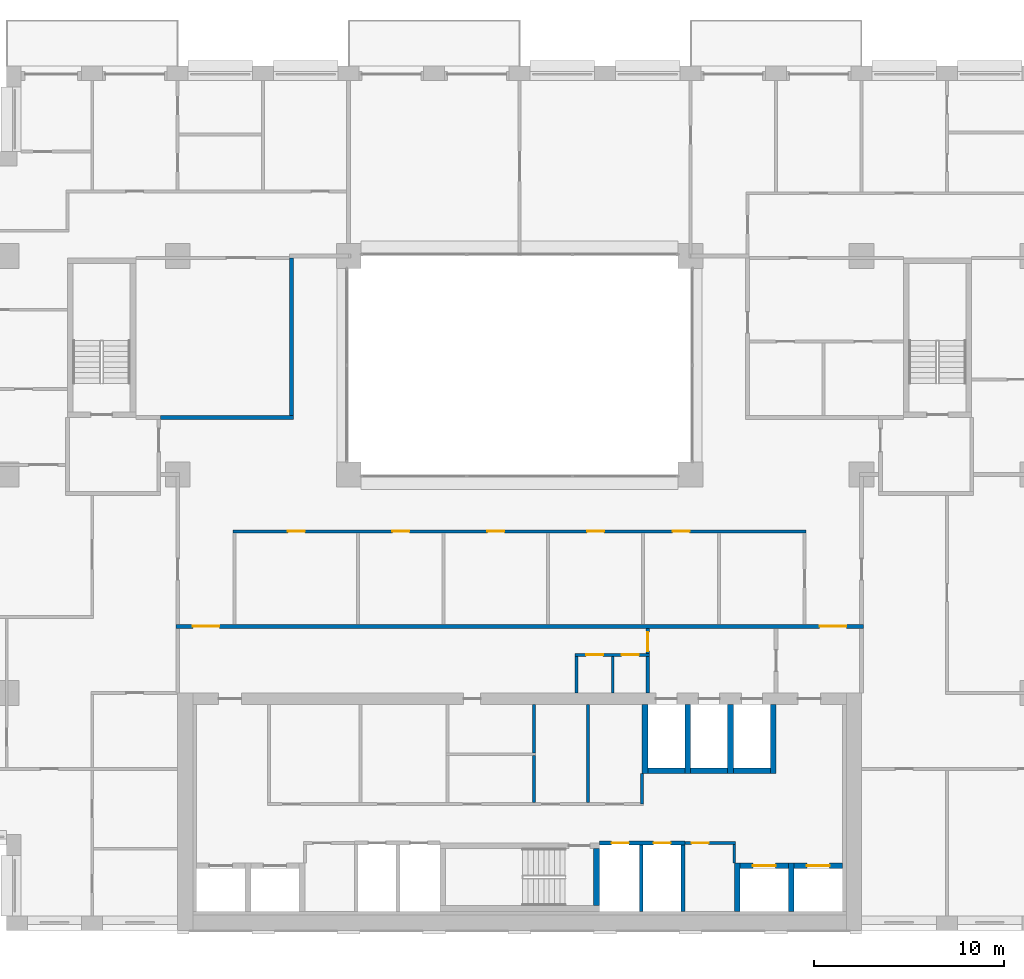
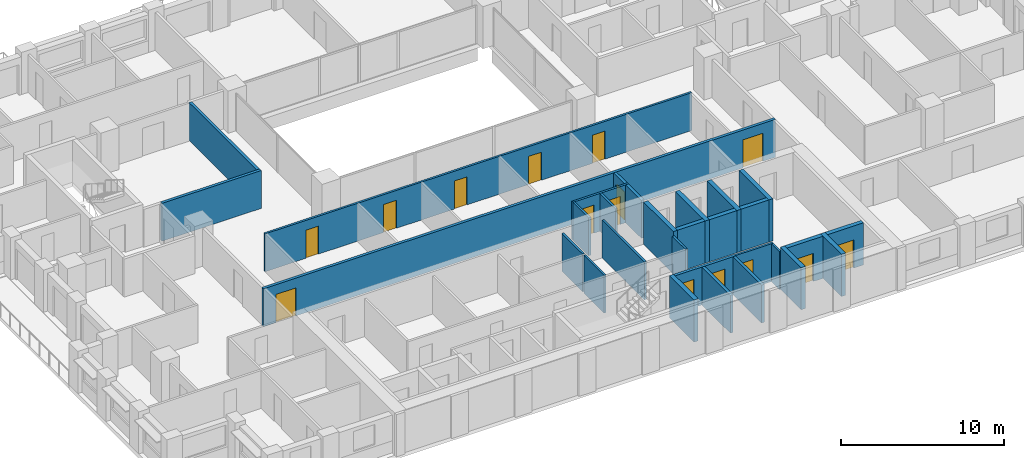
# One storey, part 10 of 16: 30 walls, 15 doors, 15 openings.
"""IFC4 building model written with IfcOpenShell, lengths in metres."""

from ifc_helpers import new_model, si_unit, direction, frame, frame_2d, origin, place, context, subcontext, project, spatial, rectangle, extrude, material, layer, layer_set, type_object, element, fill, save


model = new_model("IFC4")

# Units and contexts
model_context = context("Model", 3, precision=1e-05, world=origin(), true_north=direction((0.0, 1.0)))
body_context = subcontext(model_context, "Body", "Model", "MODEL_VIEW")
ifc_project = project(units=[si_unit("LENGTHUNIT", "METRE"), si_unit("AREAUNIT", "SQUARE_METRE"), si_unit("VOLUMEUNIT", "CUBIC_METRE"), si_unit("PLANEANGLEUNIT", "RADIAN"), si_unit("MASSUNIT", "GRAM", prefix="KILO")], contexts=[model_context])

# Site, building, storey
site_placement = place(None, origin())
site = spatial("IfcSite", under=ifc_project, at=site_placement, CompositionType="ELEMENT")
building_placement = place(site_placement, origin())
building = spatial("IfcBuilding", under=site, at=building_placement, Name="Brigalow Station Residences", CompositionType="ELEMENT")
storey_placement = place(building_placement, frame((0.0, 0.0, 89.85009765625)))
storey = spatial("IfcBuildingStorey", under=building, at=storey_placement, Name="L25", CompositionType="ELEMENT", Elevation=89.85009765625)

# Walls
ifc_material_1 = material(Name="Concrete C65", Category="concrete")
ifc_layer_1 = layer(ifc_material_1, 0.300048828125)
ifc_layer_set_1 = layer_set([ifc_layer_1], Name="CORE SHEAR WALL 300 C65")
wall_type_1 = type_object("IfcWallType", Name="CORE SHEAR WALL 300 C65", PredefinedType="SHEAR", material=ifc_layer_set_1)
wall_1_placement = place(storey_placement, frame((42.75, 8.39990234375, 0.0), z_axis=(0.0, 0.0, 1.0), x_axis=(1.0, 0.0, 0.0)))
element("IfcWall", 1, at=wall_1_placement, inside=storey, type_object=wall_type_1, Name="CORE WALL SH-FF1-S L25", PredefinedType="SHEAR", context=body_context, shape_type="SweptSolid", body=[
    extrude(rectangle(XDim=1.949951171875, YDim=0.300048828125, at=frame_2d((0.97509765625, 0.0))), origin(), (0.0, 0.0, 1.0), 3.14990234375),
])
wall_2_placement = place(storey_placement, frame((42.60009765625, 8.25, 0.0), z_axis=(0.0, 0.0, 1.0), x_axis=(0.0, 1.0, 0.0)))
element("IfcWall", 2, at=wall_2_placement, inside=storey, type_object=wall_type_1, Name="CORE WALL SH-FF1-W L25", PredefinedType="SHEAR", context=body_context, shape_type="SweptSolid", body=[
    extrude(rectangle(XDim=3.64990234375, YDim=0.300048828125, at=frame_2d((1.824951171875, 0.0))), origin(), (0.0, 0.0, 1.0), 3.14990234375),
])
wall_3_placement = place(storey_placement, frame((45.0, 8.39990234375, 0.0), z_axis=(0.0, 0.0, 1.0), x_axis=(1.0, 0.0, 0.0)))
element("IfcWall", 3, at=wall_3_placement, inside=storey, type_object=wall_type_1, Name="CORE WALL SH-FF2-S L25", PredefinedType="SHEAR", context=body_context, shape_type="SweptSolid", body=[
    extrude(rectangle(XDim=1.949951171875, YDim=0.300048828125, at=frame_2d((0.97509765625, 0.0))), origin(), (0.0, 0.0, 1.0), 3.14990234375),
])
wall_4_placement = place(storey_placement, frame((44.85009765625, 8.25, 0.0), z_axis=(0.0, 0.0, 1.0), x_axis=(0.0, 1.0, 0.0)))
element("IfcWall", 4, at=wall_4_placement, inside=storey, type_object=wall_type_1, Name="CORE WALL SH-FF2-W L25", PredefinedType="SHEAR", context=body_context, shape_type="SweptSolid", body=[
    extrude(rectangle(XDim=3.64990234375, YDim=0.300048828125, at=frame_2d((1.824951171875, 0.0))), origin(), (0.0, 0.0, 1.0), 3.14990234375),
])
wall_5_placement = place(storey_placement, frame((47.25, 8.39990234375, 0.0), z_axis=(0.0, 0.0, 1.0), x_axis=(1.0, 0.0, 0.0)))
element("IfcWall", 5, at=wall_5_placement, inside=storey, type_object=wall_type_1, Name="CORE WALL SH-SL1-S L25", PredefinedType="SHEAR", context=body_context, shape_type="SweptSolid", body=[
    extrude(rectangle(XDim=1.949951171875, YDim=0.300048828125, at=frame_2d((0.97509765625, 0.0))), origin(), (0.0, 0.0, 1.0), 3.14990234375),
])
for number, where, z_axis, x_axis, name in (
    (6, (47.10009765625, 8.25, 0.0), (0.0, 0.0, 1.0), (0.0, 1.0, 0.0), "CORE WALL SH-SL1-W L25"),
    (7, (49.35009765625, 8.25, 0.0), (0.0, 0.0, 1.0), (0.0, 1.0, 0.0), "CORE WALL SH-SL1-E L25"),
):
    element("IfcWall", number, at=place(storey_placement, frame(where, z_axis=z_axis, x_axis=x_axis)), inside=storey, type_object=wall_type_1, Name=name, PredefinedType="SHEAR", context=body_context, shape_type="SweptSolid", body=[
        extrude(rectangle(XDim=3.64990234375, YDim=0.300048828125, at=frame_2d((1.824951171875, 0.0))), origin(), (0.0, 0.0, 1.0), 3.14990234375),
    ])

# Wall, opening, door
wall_6_placement = place(storey_placement, frame((47.60009765625, 3.39990234375, 0.0), z_axis=(0.0, 0.0, 1.0), x_axis=(1.0, 0.0, 0.0)))
wall_6 = element("IfcWall", 8, at=wall_6_placement, inside=storey, type_object=wall_type_1, Name="CORE WALL SH-C3-N L25", PredefinedType="SHEAR", context=body_context, shape_type="SweptSolid", body=[
    extrude(rectangle(XDim=2.5498046875, YDim=0.300048828125, at=frame_2d((1.27490234375, 0.0))), origin(), (0.0, 0.0, 1.0), 3.14990234375),
])
opening_1_placement = place(wall_6_placement, frame((0.675048828125, 0.0, 0.0)))
opening_1 = element("IfcOpeningElement", 9, at=opening_1_placement, cuts=wall_6, Name="Opening LD-LB3", PredefinedType="OPENING", context=body_context, shape_type="SweptSolid", body=[
    extrude(rectangle(XDim=1.199951171875, YDim=2.10009765625, at=frame_2d((0.60009765625, 1.050048828125))), frame((0.0, 0.16015625, 0.0), z_axis=(0.0, -1.0, 0.0), x_axis=(1.0, 0.0, 0.0)), (0.0, 0.0, 1.0), 0.320068359375),
])
ifc_material_2 = material(Name="Stainless steel sliding door leaves", Category="steel")
door_type_1 = type_object("IfcDoorType", Name="LIFT LANDING DOOR 1200 x 2100", OperationType="DOUBLE_DOOR_SLIDING", PredefinedType="DOOR", material=ifc_material_2)
door_1_placement = place(opening_1_placement, origin())
door_1 = element("IfcDoor", 10, at=door_1_placement, inside=storey, type_object=door_type_1, Name="LANDING DOOR LB3", OperationType="DOUBLE_DOOR_SLIDING", OverallHeight=2.10009765625, OverallWidth=1.199951171875, PredefinedType="DOOR", context=body_context, shape_type="SweptSolid", body=[
    extrude(rectangle(XDim=1.199951171875, YDim=2.10009765625, at=frame_2d((0.60009765625, 1.050048828125))), frame((0.0, 0.02490234375, 0.0), z_axis=(0.0, -1.0, 0.0), x_axis=(1.0, 0.0, 0.0)), (0.0, 0.0, 1.0), 0.050048828125),
])
fill(opening_1, door_1)

# Wall
wall_7_placement = place(storey_placement, frame((47.449951171875, 1.0, 0.0), z_axis=(0.0, 0.0, 1.0), x_axis=(0.0, 1.0, 0.0)))
element("IfcWall", 11, at=wall_7_placement, inside=storey, type_object=wall_type_1, Name="CORE WALL SH-C3-W L25", PredefinedType="SHEAR", context=body_context, shape_type="SweptSolid", body=[
    extrude(rectangle(XDim=2.550048828125, YDim=0.300048828125, at=frame_2d((1.27490234375, 0.0))), origin(), (0.0, 0.0, 1.0), 3.14990234375),
])

# Wall, opening, door
wall_8_placement = place(storey_placement, frame((50.449951171875, 3.39990234375, 0.0), z_axis=(0.0, 0.0, 1.0), x_axis=(1.0, 0.0, 0.0)))
wall_8 = element("IfcWall", 12, at=wall_8_placement, inside=storey, type_object=wall_type_1, Name="CORE WALL SH-C4-N L25", PredefinedType="SHEAR", context=body_context, shape_type="SweptSolid", body=[
    extrude(rectangle(XDim=2.550048828125, YDim=0.300048828125, at=frame_2d((1.27490234375, 0.0))), origin(), (0.0, 0.0, 1.0), 3.14990234375),
])
opening_2_placement = place(wall_8_placement, frame((0.675048828125, 0.0, 0.0)))
opening_2 = element("IfcOpeningElement", 13, at=opening_2_placement, cuts=wall_8, Name="Opening LD-LB4", PredefinedType="OPENING", context=body_context, shape_type="SweptSolid", body=[
    extrude(rectangle(XDim=1.199951171875, YDim=2.10009765625, at=frame_2d((0.60009765625, 1.050048828125))), frame((0.0, 0.16015625, 0.0), z_axis=(0.0, -1.0, 0.0), x_axis=(1.0, 0.0, 0.0)), (0.0, 0.0, 1.0), 0.320068359375),
])
door_2_placement = place(opening_2_placement, origin())
door_2 = element("IfcDoor", 14, at=door_2_placement, inside=storey, type_object=door_type_1, Name="LANDING DOOR LB4", OperationType="DOUBLE_DOOR_SLIDING", OverallHeight=2.10009765625, OverallWidth=1.199951171875, PredefinedType="DOOR", context=body_context, shape_type="SweptSolid", body=[
    extrude(rectangle(XDim=1.199951171875, YDim=2.10009765625, at=frame_2d((0.60009765625, 1.050048828125))), frame((0.0, 0.02490234375, 0.0), z_axis=(0.0, -1.0, 0.0), x_axis=(1.0, 0.0, 0.0)), (0.0, 0.0, 1.0), 0.050048828125),
])
fill(opening_2, door_2)

# Walls
wall_9_placement = place(storey_placement, frame((50.300048828125, 1.0, 0.0), z_axis=(0.0, 0.0, 1.0), x_axis=(0.0, 1.0, 0.0)))
element("IfcWall", 15, at=wall_9_placement, inside=storey, type_object=wall_type_1, Name="CORE WALL SH-C4-W L25", PredefinedType="SHEAR", context=body_context, shape_type="SweptSolid", body=[
    extrude(rectangle(XDim=2.550048828125, YDim=0.300048828125, at=frame_2d((1.27490234375, 0.0))), origin(), (0.0, 0.0, 1.0), 3.14990234375),
])
wall_10_placement = place(storey_placement, frame((40.050048828125, 1.300048828125, 0.0), z_axis=(0.0, 0.0, 1.0), x_axis=(0.0, 1.0, 0.0)))
element("IfcWall", 16, at=wall_10_placement, inside=storey, type_object=wall_type_1, Name="CORE WALL ST-S2-E L25", PredefinedType="SHEAR", context=body_context, shape_type="SweptSolid", body=[
    extrude(rectangle(XDim=3.0, YDim=0.300048828125, at=frame_2d((1.5, 0.0))), origin(), (0.0, 0.0, 1.0), 3.14990234375),
])

# Wall, openings, doors
ifc_material_3 = material(Name="Concrete blockwork", Category="masonry")
ifc_layer_2 = layer(ifc_material_3, 0.199951171875)
ifc_layer_set_2 = layer_set([ifc_layer_2], Name="FIRE RATED CORE PARTITION 200")
wall_type_2 = type_object("IfcWallType", Name="FIRE RATED CORE PARTITION 200", PredefinedType="PARTITIONING", material=ifc_layer_set_2)
wall_11_placement = place(storey_placement, frame((40.199951171875, 4.60009765625, 0.0), z_axis=(0.0, 0.0, 1.0), x_axis=(1.0, 0.0, 0.0)))
wall_11 = element("IfcWall", 17, at=wall_11_placement, inside=storey, type_object=wall_type_2, Name="PW-5018", PredefinedType="PARTITIONING", context=body_context, shape_type="SweptSolid", body=[
    extrude(rectangle(XDim=4.5, YDim=0.199951171875, at=frame_2d((2.25, 0.0))), origin(), (0.0, 0.0, 1.0), 2.829833984375),
])
opening_3_placement = place(wall_11_placement, frame((0.64990234375, 0.0, 0.0)))
opening_3 = element("IfcOpeningElement", 18, at=opening_3_placement, cuts=wall_11, Name="Opening D-5009", PredefinedType="OPENING", context=body_context, shape_type="SweptSolid", body=[
    extrude(rectangle(XDim=0.89990234375, YDim=2.10009765625, at=frame_2d((0.449951171875, 1.050048828125))), frame((0.0, 0.10986328125, 0.0), z_axis=(0.0, -1.0, 0.0), x_axis=(1.0, 0.0, 0.0)), (0.0, 0.0, 1.0), 0.219970703125),
])
opening_4_placement = place(wall_11_placement, frame((2.85009765625, 0.0, 0.0)))
opening_4 = element("IfcOpeningElement", 19, at=opening_4_placement, cuts=wall_11, Name="Opening D-5010", PredefinedType="OPENING", context=body_context, shape_type="SweptSolid", body=[
    extrude(rectangle(XDim=0.89990234375, YDim=2.10009765625, at=frame_2d((0.449951171875, 1.050048828125))), frame((0.0, 0.10986328125, 0.0), z_axis=(0.0, -1.0, 0.0), x_axis=(1.0, 0.0, 0.0)), (0.0, 0.0, 1.0), 0.219970703125),
])
ifc_material_4 = material(Name="Steel fire door leaf in steel frame", Category="steel")
door_type_2 = type_object("IfcDoorType", Name="RISER ACCESS DOOR 900 x 2100 FD120", OperationType="SINGLE_SWING_LEFT", PredefinedType="DOOR", material=ifc_material_4)
door_3_placement = place(opening_3_placement, frame((0.89990234375, 0.0, 0.0), z_axis=(0.0, 0.0, 1.0), x_axis=(-1.0, 0.0, 0.0)))
door_3 = element("IfcDoor", 20, at=door_3_placement, inside=storey, type_object=door_type_2, Name="D-5009", OperationType="SINGLE_SWING_LEFT", OverallHeight=2.10009765625, OverallWidth=0.89990234375, PredefinedType="DOOR", context=body_context, shape_type="SweptSolid", body=[
    extrude(rectangle(XDim=0.89990234375, YDim=2.10009765625, at=frame_2d((0.449951171875, 1.050048828125))), frame((0.0, 0.02490234375, 0.0), z_axis=(0.0, -1.0, 0.0), x_axis=(1.0, 0.0, 0.0)), (0.0, 0.0, 1.0), 0.050048828125),
])
fill(opening_3, door_3)
door_4_placement = place(opening_4_placement, frame((0.89990234375, 0.0, 0.0), z_axis=(0.0, 0.0, 1.0), x_axis=(-1.0, 0.0, 0.0)))
door_4 = element("IfcDoor", 21, at=door_4_placement, inside=storey, type_object=door_type_2, Name="D-5010", OperationType="SINGLE_SWING_LEFT", OverallHeight=2.10009765625, OverallWidth=0.89990234375, PredefinedType="DOOR", context=body_context, shape_type="SweptSolid", body=[
    extrude(rectangle(XDim=0.89990234375, YDim=2.10009765625, at=frame_2d((0.449951171875, 1.050048828125))), frame((0.0, 0.02490234375, 0.0), z_axis=(0.0, -1.0, 0.0), x_axis=(1.0, 0.0, 0.0)), (0.0, 0.0, 1.0), 0.050048828125),
])
fill(opening_4, door_4)

# Walls
for number, where, z_axis, x_axis, name in (
    (22, (42.39990234375, 1.0, 0.0), (0.0, 0.0, 1.0), (0.0, 1.0, 0.0), "PW-5007"),
    (23, (44.60009765625, 1.0, 0.0), (0.0, 0.0, 1.0), (0.0, 1.0, 0.0), "PW-5008"),
):
    element("IfcWall", number, at=place(storey_placement, frame(where, z_axis=z_axis, x_axis=x_axis)), inside=storey, type_object=wall_type_2, Name=name, PredefinedType="PARTITIONING", context=body_context, shape_type="SweptSolid", body=[
        extrude(rectangle(XDim=3.5, YDim=0.199951171875, at=frame_2d((1.75, 0.0))), origin(), (0.0, 0.0, 1.0), 2.829833984375),
    ])
wall_12_placement = place(storey_placement, frame((42.75, 12.5, 0.0), z_axis=(0.0, 0.0, 1.0), x_axis=(0.0, 1.0, 0.0)))
element("IfcWall", 24, at=wall_12_placement, inside=storey, type_object=wall_type_2, Name="PW-5046", PredefinedType="PARTITIONING", context=body_context, shape_type="SweptSolid", body=[
    extrude(rectangle(XDim=1.925048828125, YDim=0.199951171875, at=frame_2d((0.96240234375, 0.0))), origin(), (0.0, 0.0, 1.0), 2.829833984375),
])

# Wall, opening, door
wall_13_placement = place(storey_placement, frame((42.75, 14.574951171875, 0.0), z_axis=(0.0, 0.0, 1.0), x_axis=(0.0, 1.0, 0.0)))
wall_13 = element("IfcWall", 25, at=wall_13_placement, inside=storey, type_object=wall_type_2, Name="PW-5047", PredefinedType="PARTITIONING", context=body_context, shape_type="SweptSolid", body=[
    extrude(rectangle(XDim=1.324951171875, YDim=0.199951171875, at=frame_2d((0.66259765625, 0.0))), origin(), (0.0, 0.0, 1.0), 2.829833984375),
])
opening_5_placement = place(wall_13_placement, frame((0.125, 0.0, 0.0)))
opening_5 = element("IfcOpeningElement", 26, at=opening_5_placement, cuts=wall_13, Name="Opening D-5013", PredefinedType="OPENING", context=body_context, shape_type="SweptSolid", body=[
    extrude(rectangle(XDim=1.0, YDim=2.10009765625, at=frame_2d((0.5, 1.050048828125))), frame((0.0, 0.10986328125, 0.0), z_axis=(0.0, -1.0, 0.0), x_axis=(1.0, 0.0, 0.0)), (0.0, 0.0, 1.0), 0.219970703125),
])
ifc_material_5 = material(Name="Steel fire door leaf in steel frame", Category="steel")
door_type_3 = type_object("IfcDoorType", Name="LOBBY DOOR 1000 x 2100 FD60S", OperationType="SINGLE_SWING_LEFT", PredefinedType="DOOR", material=ifc_material_5)
door_5_placement = place(opening_5_placement, origin())
door_5 = element("IfcDoor", 27, at=door_5_placement, inside=storey, type_object=door_type_3, Name="D-5013", OperationType="SINGLE_SWING_LEFT", OverallHeight=2.10009765625, OverallWidth=1.0, PredefinedType="DOOR", context=body_context, shape_type="SweptSolid", body=[
    extrude(rectangle(XDim=1.0, YDim=2.10009765625, at=frame_2d((0.5, 1.050048828125))), frame((0.0, 0.02490234375, 0.0), z_axis=(0.0, -1.0, 0.0), x_axis=(1.0, 0.0, 0.0)), (0.0, 0.0, 1.0), 0.050048828125),
])
fill(opening_5, door_5)

# Wall, openings, doors
ifc_material_6 = material(Name="Plasterboard on steel stud partition", Category="steel")
ifc_layer_3 = layer(ifc_material_6, 0.14990234375)
ifc_layer_set_3 = layer_set([ifc_layer_3], Name="FLAT PARTITION 150")
wall_type_3 = type_object("IfcWallType", Name="FLAT PARTITION 150", PredefinedType="PARTITIONING", material=ifc_layer_set_3)
wall_14_placement = place(storey_placement, frame((20.925048828125, 21.0, 0.0), z_axis=(0.0, 0.0, 1.0), x_axis=(1.0, 0.0, 0.0)))
wall_14 = element("IfcWall", 28, at=wall_14_placement, inside=storey, type_object=wall_type_3, Name="PW-2A01", PredefinedType="PARTITIONING", context=body_context, shape_type="SweptSolid", body=[
    extrude(rectangle(XDim=30.14990234375, YDim=0.14990234375, at=frame_2d((15.074951171875, 0.0))), origin(), (0.0, 0.0, 1.0), 2.829833984375),
])
opening_6_placement = place(wall_14_placement, frame((2.875, 0.0, 0.0)))
opening_6 = element("IfcOpeningElement", 29, at=opening_6_placement, cuts=wall_14, Name="Opening D-2A49", PredefinedType="OPENING", context=body_context, shape_type="SweptSolid", body=[
    extrude(rectangle(XDim=0.89990234375, YDim=2.10009765625, at=frame_2d((0.449951171875, 1.050048828125))), frame((0.0, 0.0849609375, 0.0), z_axis=(0.0, -1.0, 0.0), x_axis=(1.0, 0.0, 0.0)), (0.0, 0.0, 1.0), 0.169921875),
])
opening_7_placement = place(wall_14_placement, frame((8.375, 0.0, 0.0)))
opening_7 = element("IfcOpeningElement", 30, at=opening_7_placement, cuts=wall_14, Name="Opening D-2A50", PredefinedType="OPENING", context=body_context, shape_type="SweptSolid", body=[
    extrude(rectangle(XDim=0.89990234375, YDim=2.10009765625, at=frame_2d((0.449951171875, 1.050048828125))), frame((0.0, 0.0849609375, 0.0), z_axis=(0.0, -1.0, 0.0), x_axis=(1.0, 0.0, 0.0)), (0.0, 0.0, 1.0), 0.169921875),
])
opening_8_placement = place(wall_14_placement, frame((13.375, 0.0, 0.0)))
opening_8 = element("IfcOpeningElement", 31, at=opening_8_placement, cuts=wall_14, Name="Opening D-2A51", PredefinedType="OPENING", context=body_context, shape_type="SweptSolid", body=[
    extrude(rectangle(XDim=0.89990234375, YDim=2.10009765625, at=frame_2d((0.449951171875, 1.050048828125))), frame((0.0, 0.0849609375, 0.0), z_axis=(0.0, -1.0, 0.0), x_axis=(1.0, 0.0, 0.0)), (0.0, 0.0, 1.0), 0.169921875),
])
opening_9_placement = place(wall_14_placement, frame((18.625, 0.0, 0.0)))
opening_9 = element("IfcOpeningElement", 32, at=opening_9_placement, cuts=wall_14, Name="Opening D-2A52", PredefinedType="OPENING", context=body_context, shape_type="SweptSolid", body=[
    extrude(rectangle(XDim=0.89990234375, YDim=2.10009765625, at=frame_2d((0.449951171875, 1.050048828125))), frame((0.0, 0.0849609375, 0.0), z_axis=(0.0, -1.0, 0.0), x_axis=(1.0, 0.0, 0.0)), (0.0, 0.0, 1.0), 0.169921875),
])
opening_10_placement = place(wall_14_placement, frame((23.125, 0.0, 0.0)))
opening_10 = element("IfcOpeningElement", 33, at=opening_10_placement, cuts=wall_14, Name="Opening D-2A53", PredefinedType="OPENING", context=body_context, shape_type="SweptSolid", body=[
    extrude(rectangle(XDim=0.89990234375, YDim=2.10009765625, at=frame_2d((0.449951171875, 1.050048828125))), frame((0.0, 0.0849609375, 0.0), z_axis=(0.0, -1.0, 0.0), x_axis=(1.0, 0.0, 0.0)), (0.0, 0.0, 1.0), 0.169921875),
])
ifc_material_7 = material(Name="Solid-core timber door leaf", Category="wood")
door_type_4 = type_object("IfcDoorType", Name="INTERNAL DOOR 900 x 2100", OperationType="SINGLE_SWING_LEFT", PredefinedType="DOOR", material=ifc_material_7)
door_6_placement = place(opening_6_placement, frame((0.89990234375, 0.0, 0.0), z_axis=(0.0, 0.0, 1.0), x_axis=(-1.0, 0.0, 0.0)))
door_6 = element("IfcDoor", 34, at=door_6_placement, inside=storey, type_object=door_type_4, Name="D-2A49", OperationType="SINGLE_SWING_LEFT", OverallHeight=2.10009765625, OverallWidth=0.89990234375, PredefinedType="DOOR", context=body_context, shape_type="SweptSolid", body=[
    extrude(rectangle(XDim=0.89990234375, YDim=2.10009765625, at=frame_2d((0.449951171875, 1.050048828125))), frame((0.0, 0.02490234375, 0.0), z_axis=(0.0, -1.0, 0.0), x_axis=(1.0, 0.0, 0.0)), (0.0, 0.0, 1.0), 0.050048828125),
])
fill(opening_6, door_6)
door_7_placement = place(opening_7_placement, frame((0.89990234375, 0.0, 0.0), z_axis=(0.0, 0.0, 1.0), x_axis=(-1.0, 0.0, 0.0)))
door_7 = element("IfcDoor", 35, at=door_7_placement, inside=storey, type_object=door_type_4, Name="D-2A50", OperationType="SINGLE_SWING_RIGHT", OverallHeight=2.10009765625, OverallWidth=0.89990234375, PredefinedType="DOOR", context=body_context, shape_type="SweptSolid", body=[
    extrude(rectangle(XDim=0.89990234375, YDim=2.10009765625, at=frame_2d((0.449951171875, 1.050048828125))), frame((0.0, 0.02490234375, 0.0), z_axis=(0.0, -1.0, 0.0), x_axis=(1.0, 0.0, 0.0)), (0.0, 0.0, 1.0), 0.050048828125),
])
fill(opening_7, door_7)
door_8_placement = place(opening_8_placement, frame((0.89990234375, 0.0, 0.0), z_axis=(0.0, 0.0, 1.0), x_axis=(-1.0, 0.0, 0.0)))
door_8 = element("IfcDoor", 36, at=door_8_placement, inside=storey, type_object=door_type_4, Name="D-2A51", OperationType="SINGLE_SWING_LEFT", OverallHeight=2.10009765625, OverallWidth=0.89990234375, PredefinedType="DOOR", context=body_context, shape_type="SweptSolid", body=[
    extrude(rectangle(XDim=0.89990234375, YDim=2.10009765625, at=frame_2d((0.449951171875, 1.050048828125))), frame((0.0, 0.02490234375, 0.0), z_axis=(0.0, -1.0, 0.0), x_axis=(1.0, 0.0, 0.0)), (0.0, 0.0, 1.0), 0.050048828125),
])
fill(opening_8, door_8)
door_9_placement = place(opening_9_placement, frame((0.89990234375, 0.0, 0.0), z_axis=(0.0, 0.0, 1.0), x_axis=(-1.0, 0.0, 0.0)))
door_9 = element("IfcDoor", 37, at=door_9_placement, inside=storey, type_object=door_type_4, Name="D-2A52", OperationType="SINGLE_SWING_LEFT", OverallHeight=2.10009765625, OverallWidth=0.89990234375, PredefinedType="DOOR", context=body_context, shape_type="SweptSolid", body=[
    extrude(rectangle(XDim=0.89990234375, YDim=2.10009765625, at=frame_2d((0.449951171875, 1.050048828125))), frame((0.0, 0.02490234375, 0.0), z_axis=(0.0, -1.0, 0.0), x_axis=(1.0, 0.0, 0.0)), (0.0, 0.0, 1.0), 0.050048828125),
])
fill(opening_9, door_9)
door_10_placement = place(opening_10_placement, frame((0.89990234375, 0.0, 0.0), z_axis=(0.0, 0.0, 1.0), x_axis=(-1.0, 0.0, 0.0)))
door_10 = element("IfcDoor", 38, at=door_10_placement, inside=storey, type_object=door_type_4, Name="D-2A53", OperationType="SINGLE_SWING_LEFT", OverallHeight=2.10009765625, OverallWidth=0.89990234375, PredefinedType="DOOR", context=body_context, shape_type="SweptSolid", body=[
    extrude(rectangle(XDim=0.89990234375, YDim=2.10009765625, at=frame_2d((0.449951171875, 1.050048828125))), frame((0.0, 0.02490234375, 0.0), z_axis=(0.0, -1.0, 0.0), x_axis=(1.0, 0.0, 0.0)), (0.0, 0.0, 1.0), 0.050048828125),
])
fill(opening_10, door_10)

# Wall
ifc_material_8 = material(Name="Plasterboard on steel stud partition", Category="steel")
ifc_layer_4 = layer(ifc_material_8, 0.199951171875)
ifc_layer_set_4 = layer_set([ifc_layer_4], Name="PARTY AND CORRIDOR WALL 200")
wall_type_4 = type_object("IfcWallType", Name="PARTY AND CORRIDOR WALL 200", PredefinedType="PARTITIONING", material=ifc_layer_set_4)
wall_15_placement = place(storey_placement, frame((17.10009765625, 27.0, 0.0), z_axis=(0.0, 0.0, 1.0), x_axis=(1.0, 0.0, 0.0)))
element("IfcWall", 39, at=wall_15_placement, inside=storey, type_object=wall_type_4, Name="PW-2A05", PredefinedType="PARTITIONING", context=body_context, shape_type="SweptSolid", body=[
    extrude(rectangle(XDim=7.0, YDim=0.199951171875, at=frame_2d((3.5, 0.0))), origin(), (0.0, 0.0, 1.0), 2.829833984375),
])

# Wall, openings, doors
wall_16_placement = place(storey_placement, frame((17.89990234375, 16.0, 0.0), z_axis=(0.0, 0.0, 1.0), x_axis=(1.0, 0.0, 0.0)))
wall_16 = element("IfcWall", 40, at=wall_16_placement, inside=storey, type_object=wall_type_4, Name="PW-2A38", PredefinedType="PARTITIONING", context=body_context, shape_type="SweptSolid", body=[
    extrude(rectangle(XDim=36.2001953125, YDim=0.199951171875, at=frame_2d((18.10009765625, 0.0))), origin(), (0.0, 0.0, 1.0), 2.829833984375),
])
opening_11_placement = place(wall_16_placement, frame((0.89990234375, 0.0, 0.0)))
opening_11 = element("IfcOpeningElement", 41, at=opening_11_placement, cuts=wall_16, Name="Opening D-2A01", PredefinedType="OPENING", context=body_context, shape_type="SweptSolid", body=[
    extrude(rectangle(XDim=1.39990234375, YDim=2.10009765625, at=frame_2d((0.699951171875, 1.050048828125))), frame((0.0, 0.10986328125, 0.0), z_axis=(0.0, -1.0, 0.0), x_axis=(1.0, 0.0, 0.0)), (0.0, 0.0, 1.0), 0.219970703125),
])
opening_12_placement = place(wall_16_placement, frame((33.89990234375, 0.0, 0.0)))
opening_12 = element("IfcOpeningElement", 42, at=opening_12_placement, cuts=wall_16, Name="Opening D-2A02", PredefinedType="OPENING", context=body_context, shape_type="SweptSolid", body=[
    extrude(rectangle(XDim=1.39990234375, YDim=2.10009765625, at=frame_2d((0.699951171875, 1.050048828125))), frame((0.0, 0.10986328125, 0.0), z_axis=(0.0, -1.0, 0.0), x_axis=(1.0, 0.0, 0.0)), (0.0, 0.0, 1.0), 0.219970703125),
])
ifc_material_9 = material(Name="Solid-core timber door leaf", Category="wood")
door_type_5 = type_object("IfcDoorType", Name="CORRIDOR FIRE DOOR 1400 x 2100 FRL -/60/30", OperationType="DOUBLE_DOOR_SINGLE_SWING", PredefinedType="DOOR", material=ifc_material_9)
door_11_placement = place(opening_11_placement, frame((1.39990234375, 0.0, 0.0), z_axis=(0.0, 0.0, 1.0), x_axis=(-1.0, 0.0, 0.0)))
door_11 = element("IfcDoor", 43, at=door_11_placement, inside=storey, type_object=door_type_5, Name="D-2A01", OperationType="DOUBLE_DOOR_SINGLE_SWING", OverallHeight=2.10009765625, OverallWidth=1.39990234375, PredefinedType="DOOR", context=body_context, shape_type="SweptSolid", body=[
    extrude(rectangle(XDim=1.39990234375, YDim=2.10009765625, at=frame_2d((0.699951171875, 1.050048828125))), frame((0.0, 0.02490234375, 0.0), z_axis=(0.0, -1.0, 0.0), x_axis=(1.0, 0.0, 0.0)), (0.0, 0.0, 1.0), 0.050048828125),
])
fill(opening_11, door_11)
door_12_placement = place(opening_12_placement, frame((1.39990234375, 0.0, 0.0), z_axis=(0.0, 0.0, 1.0), x_axis=(-1.0, 0.0, 0.0)))
door_12 = element("IfcDoor", 44, at=door_12_placement, inside=storey, type_object=door_type_5, Name="D-2A02", OperationType="DOUBLE_DOOR_SINGLE_SWING", OverallHeight=2.10009765625, OverallWidth=1.39990234375, PredefinedType="DOOR", context=body_context, shape_type="SweptSolid", body=[
    extrude(rectangle(XDim=1.39990234375, YDim=2.10009765625, at=frame_2d((0.699951171875, 1.050048828125))), frame((0.0, 0.02490234375, 0.0), z_axis=(0.0, -1.0, 0.0), x_axis=(1.0, 0.0, 0.0)), (0.0, 0.0, 1.0), 0.050048828125),
])
fill(opening_12, door_12)

# Wall
wall_17_placement = place(storey_placement, frame((24.0, 27.10009765625, 0.0), z_axis=(0.0, 0.0, 1.0), x_axis=(0.0, 1.0, 0.0)))
element("IfcWall", 45, at=wall_17_placement, inside=storey, type_object=wall_type_4, Name="PW-2A45", PredefinedType="PARTITIONING", context=body_context, shape_type="SweptSolid", body=[
    extrude(rectangle(XDim=8.2998046875, YDim=0.199951171875, at=frame_2d((4.14990234375, 0.0))), origin(), (0.0, 0.0, 1.0), 2.829833984375),
])

# Wall, opening, door
ifc_material_10 = material(Name="Plasterboard on steel studs", Category="steel")
ifc_layer_5 = layer(ifc_material_10, 0.14990234375)
ifc_layer_set_5 = layer_set([ifc_layer_5], Name="SERVICE ROOM PARTITION 150")
wall_type_5 = type_object("IfcWallType", Name="SERVICE ROOM PARTITION 150", PredefinedType="PARTITIONING", material=ifc_layer_set_5)
wall_18_placement = place(storey_placement, frame((44.699951171875, 4.60009765625, 0.0), z_axis=(0.0, 0.0, 1.0), x_axis=(1.0, 0.0, 0.0)))
wall_18 = element("IfcWall", 46, at=wall_18_placement, inside=storey, type_object=wall_type_5, Name="PW-5156", PredefinedType="PARTITIONING", context=body_context, shape_type="SweptSolid", body=[
    extrude(rectangle(XDim=2.675048828125, YDim=0.14990234375, at=frame_2d((1.33740234375, 0.0))), origin(), (0.0, 0.0, 1.0), 2.829833984375),
])
opening_13_placement = place(wall_18_placement, frame((0.35009765625, 0.0, 0.0)))
opening_13 = element("IfcOpeningElement", 47, at=opening_13_placement, cuts=wall_18, Name="Opening D-5026", PredefinedType="OPENING", context=body_context, shape_type="SweptSolid", body=[
    extrude(rectangle(XDim=0.89990234375, YDim=2.10009765625, at=frame_2d((0.449951171875, 1.050048828125))), frame((0.0, 0.0849609375, 0.0), z_axis=(0.0, -1.0, 0.0), x_axis=(1.0, 0.0, 0.0)), (0.0, 0.0, 1.0), 0.169921875),
])
ifc_material_11 = material(Name="Steel door leaf in steel frame", Category="steel")
door_type_6 = type_object("IfcDoorType", Name="SERVICE ROOM DOOR 900 x 2100 FD60", OperationType="SINGLE_SWING_LEFT", PredefinedType="DOOR", material=ifc_material_11)
door_13_placement = place(opening_13_placement, frame((0.89990234375, 0.0, 0.0), z_axis=(0.0, 0.0, 1.0), x_axis=(-1.0, 0.0, 0.0)))
door_13 = element("IfcDoor", 48, at=door_13_placement, inside=storey, type_object=door_type_6, Name="D-5026", OperationType="SINGLE_SWING_RIGHT", OverallHeight=2.10009765625, OverallWidth=0.89990234375, PredefinedType="DOOR", context=body_context, shape_type="SweptSolid", body=[
    extrude(rectangle(XDim=0.89990234375, YDim=2.10009765625, at=frame_2d((0.449951171875, 1.050048828125))), frame((0.0, 0.02490234375, 0.0), z_axis=(0.0, -1.0, 0.0), x_axis=(1.0, 0.0, 0.0)), (0.0, 0.0, 1.0), 0.050048828125),
])
fill(opening_13, door_13)

# Wall, openings, doors
wall_19_placement = place(storey_placement, frame((38.925048828125, 14.5, 0.0), z_axis=(0.0, 0.0, 1.0), x_axis=(1.0, 0.0, 0.0)))
wall_19 = element("IfcWall", 49, at=wall_19_placement, inside=storey, type_object=wall_type_5, Name="PW-5129", PredefinedType="PARTITIONING", context=body_context, shape_type="SweptSolid", body=[
    extrude(rectangle(XDim=3.925048828125, YDim=0.14990234375, at=frame_2d((1.96240234375, 0.0))), origin(), (0.0, 0.0, 1.0), 2.829833984375),
])
opening_14_placement = place(wall_19_placement, frame((0.574951171875, 0.0, 0.0)))
opening_14 = element("IfcOpeningElement", 50, at=opening_14_placement, cuts=wall_19, Name="Opening D-5077", PredefinedType="OPENING", context=body_context, shape_type="SweptSolid", body=[
    extrude(rectangle(XDim=0.89990234375, YDim=2.10009765625, at=frame_2d((0.449951171875, 1.050048828125))), frame((0.0, 0.0849609375, 0.0), z_axis=(0.0, -1.0, 0.0), x_axis=(1.0, 0.0, 0.0)), (0.0, 0.0, 1.0), 0.169921875),
])
opening_15_placement = place(wall_19_placement, frame((2.449951171875, 0.0, 0.0)))
opening_15 = element("IfcOpeningElement", 51, at=opening_15_placement, cuts=wall_19, Name="Opening D-5078", PredefinedType="OPENING", context=body_context, shape_type="SweptSolid", body=[
    extrude(rectangle(XDim=0.89990234375, YDim=2.10009765625, at=frame_2d((0.449951171875, 1.050048828125))), frame((0.0, 0.0849609375, 0.0), z_axis=(0.0, -1.0, 0.0), x_axis=(1.0, 0.0, 0.0)), (0.0, 0.0, 1.0), 0.169921875),
])
door_14_placement = place(opening_14_placement, frame((0.89990234375, 0.0, 0.0), z_axis=(0.0, 0.0, 1.0), x_axis=(-1.0, 0.0, 0.0)))
door_14 = element("IfcDoor", 52, at=door_14_placement, inside=storey, type_object=door_type_6, Name="D-5077", OperationType="SINGLE_SWING_RIGHT", OverallHeight=2.10009765625, OverallWidth=0.89990234375, PredefinedType="DOOR", context=body_context, shape_type="SweptSolid", body=[
    extrude(rectangle(XDim=0.89990234375, YDim=2.10009765625, at=frame_2d((0.449951171875, 1.050048828125))), frame((0.0, 0.02490234375, 0.0), z_axis=(0.0, -1.0, 0.0), x_axis=(1.0, 0.0, 0.0)), (0.0, 0.0, 1.0), 0.050048828125),
])
fill(opening_14, door_14)
door_15_placement = place(opening_15_placement, frame((0.89990234375, 0.0, 0.0), z_axis=(0.0, 0.0, 1.0), x_axis=(-1.0, 0.0, 0.0)))
door_15 = element("IfcDoor", 53, at=door_15_placement, inside=storey, type_object=door_type_6, Name="D-5078", OperationType="SINGLE_SWING_LEFT", OverallHeight=2.10009765625, OverallWidth=0.89990234375, PredefinedType="DOOR", context=body_context, shape_type="SweptSolid", body=[
    extrude(rectangle(XDim=0.89990234375, YDim=2.10009765625, at=frame_2d((0.449951171875, 1.050048828125))), frame((0.0, 0.02490234375, 0.0), z_axis=(0.0, -1.0, 0.0), x_axis=(1.0, 0.0, 0.0)), (0.0, 0.0, 1.0), 0.050048828125),
])
fill(opening_15, door_15)

# Walls
wall_20_placement = place(storey_placement, frame((47.300048828125, 3.550048828125, 0.0), z_axis=(0.0, 0.0, 1.0), x_axis=(0.0, 1.0, 0.0)))
element("IfcWall", 54, at=wall_20_placement, inside=storey, type_object=wall_type_5, Name="PW-5158", PredefinedType="PARTITIONING", context=body_context, shape_type="SweptSolid", body=[
    extrude(rectangle(XDim=0.974853515625, YDim=0.14990234375, at=frame_2d((0.4873046875, 0.0))), origin(), (0.0, 0.0, 1.0), 2.829833984375),
])
wall_21_placement = place(storey_placement, frame((42.449951171875, 6.64990234375, 0.0), z_axis=(0.0, 0.0, 1.0), x_axis=(0.0, 1.0, 0.0)))
element("IfcWall", 55, at=wall_21_placement, inside=storey, type_object=wall_type_5, Name="PW-5029", PredefinedType="PARTITIONING", context=body_context, shape_type="SweptSolid", body=[
    extrude(rectangle(XDim=1.60009765625, YDim=0.14990234375, at=frame_2d((0.800048828125, 0.0))), origin(), (0.0, 0.0, 1.0), 2.829833984375),
])
wall_22_placement = place(storey_placement, frame((36.75, 6.72509765625, 0.0), z_axis=(0.0, 0.0, 1.0), x_axis=(0.0, 1.0, 0.0)))
element("IfcWall", 56, at=wall_22_placement, inside=storey, type_object=wall_type_5, Name="PW-5200", PredefinedType="PARTITIONING", context=body_context, shape_type="SweptSolid", body=[
    extrude(rectangle(XDim=2.469970703125, YDim=0.14990234375, at=frame_2d((1.23486328125, 0.0))), origin(), (0.0, 0.0, 1.0), 2.829833984375),
])
wall_23_placement = place(storey_placement, frame((39.60009765625, 6.72509765625, 0.0), z_axis=(0.0, 0.0, 1.0), x_axis=(0.0, 1.0, 0.0)))
element("IfcWall", 57, at=wall_23_placement, inside=storey, type_object=wall_type_5, Name="PW-5201", PredefinedType="PARTITIONING", context=body_context, shape_type="SweptSolid", body=[
    extrude(rectangle(XDim=5.1748046875, YDim=0.14990234375, at=frame_2d((2.58740234375, 0.0))), origin(), (0.0, 0.0, 1.0), 2.829833984375),
])
wall_24_placement = place(storey_placement, frame((36.75, 9.344970703125, 0.0), z_axis=(0.0, 0.0, 1.0), x_axis=(0.0, 1.0, 0.0)))
element("IfcWall", 58, at=wall_24_placement, inside=storey, type_object=wall_type_5, Name="PW-5203", PredefinedType="PARTITIONING", context=body_context, shape_type="SweptSolid", body=[
    extrude(rectangle(XDim=2.554931640625, YDim=0.14990234375, at=frame_2d((1.27734375, 0.0))), origin(), (0.0, 0.0, 1.0), 2.829833984375),
])
for number, where, z_axis, x_axis, name in (
    (59, (39.0, 12.5, 0.0), (0.0, 0.0, 1.0), (0.0, 1.0, 0.0), "PW-5136"),
    (60, (40.89990234375, 12.5, 0.0), (0.0, 0.0, 1.0), (0.0, 1.0, 0.0), "PW-5137"),
):
    element("IfcWall", number, at=place(storey_placement, frame(where, z_axis=z_axis, x_axis=x_axis)), inside=storey, type_object=wall_type_5, Name=name, PredefinedType="PARTITIONING", context=body_context, shape_type="SweptSolid", body=[
        extrude(rectangle(XDim=1.925048828125, YDim=0.14990234375, at=frame_2d((0.96240234375, 0.0))), origin(), (0.0, 0.0, 1.0), 2.829833984375),
    ])

save(model, "model.ifc")
